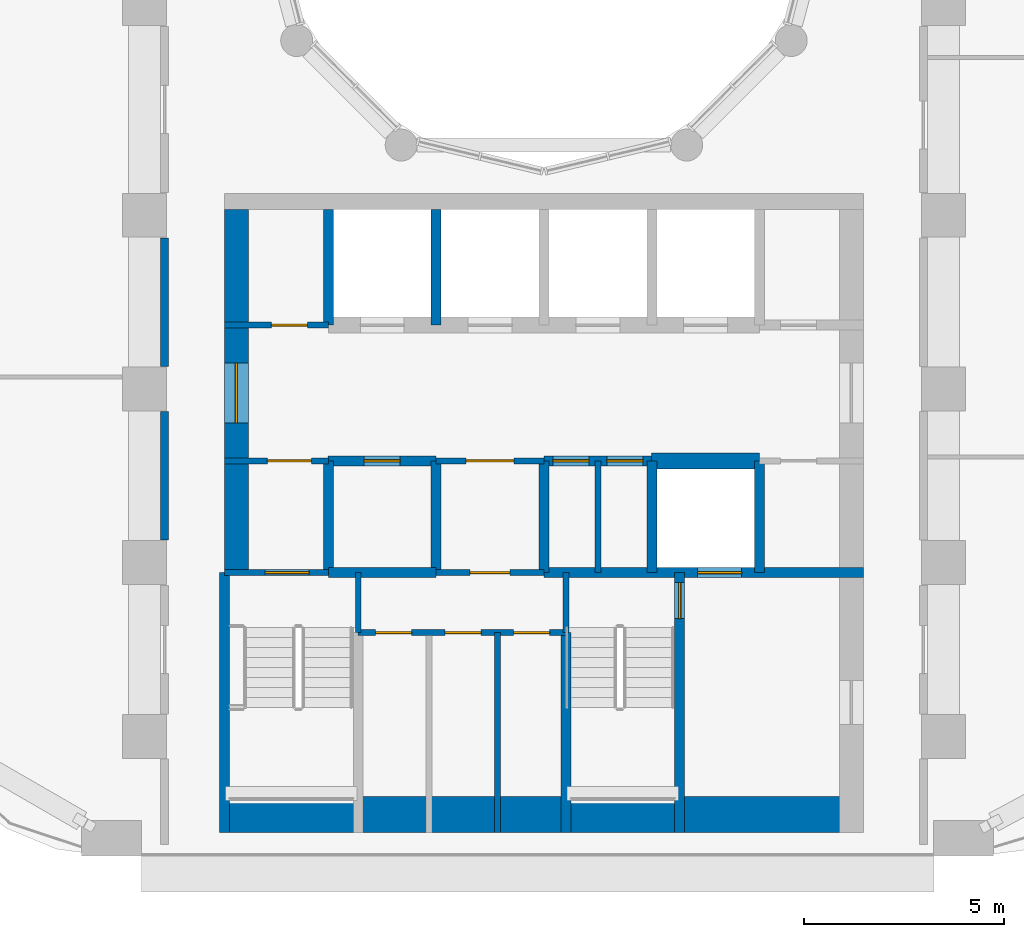
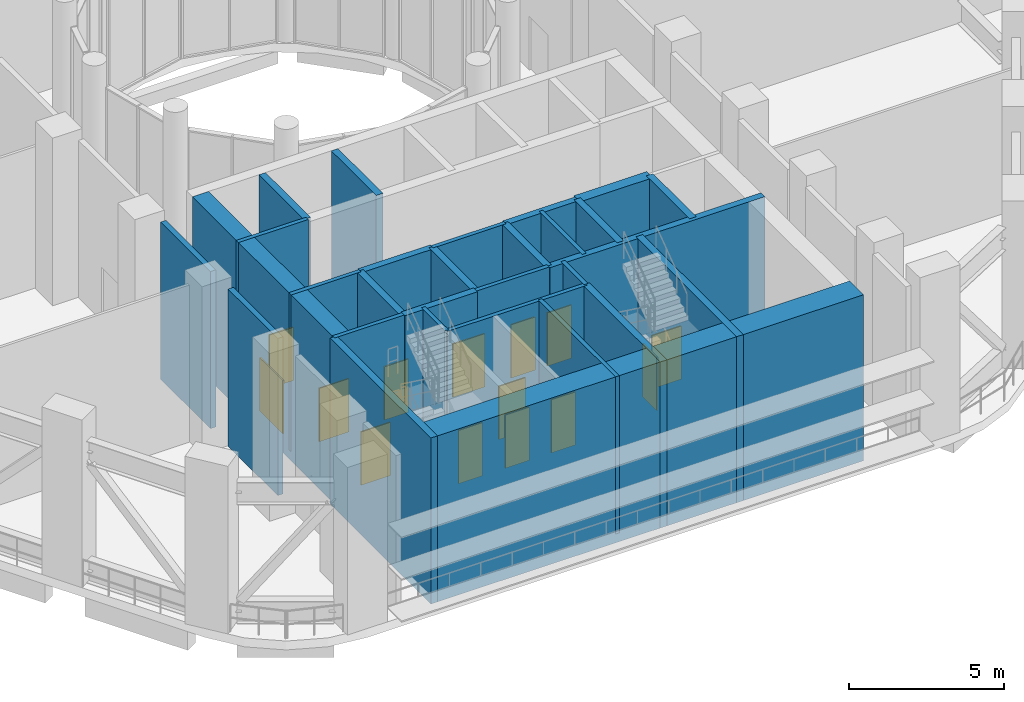
# One storey, part 8 of 20: 29 walls, 14 doors, 14 openings.
"""IFC4 building model written with IfcOpenShell, lengths in metres."""

from ifc_helpers import new_model, si_unit, direction, frame, frame_2d, origin, place, context, subcontext, project, spatial, rectangle, extrude, material, layer, layer_set, type_object, element, fill, save


model = new_model("IFC4")

# Units and contexts
model_context = context("Model", 3, precision=1e-05, world=origin(), true_north=direction((0.0, 1.0)))
body_context = subcontext(model_context, "Body", "Model", "MODEL_VIEW")
ifc_project = project(units=[si_unit("LENGTHUNIT", "METRE"), si_unit("AREAUNIT", "SQUARE_METRE"), si_unit("VOLUMEUNIT", "CUBIC_METRE"), si_unit("PLANEANGLEUNIT", "RADIAN"), si_unit("MASSUNIT", "GRAM", prefix="KILO")], contexts=[model_context])

# Site, building, storey
site_placement = place(None, origin())
site = spatial("IfcSite", under=ifc_project, at=site_placement, CompositionType="ELEMENT")
building_placement = place(site_placement, origin())
building = spatial("IfcBuilding", under=site, at=building_placement, Name="Nakaniwa Court", CompositionType="ELEMENT")
storey_placement = place(building_placement, frame((0.0, 0.0, 71.10009765625)))
storey = spatial("IfcBuildingStorey", under=building, at=storey_placement, Name="S1", CompositionType="ELEMENT", Elevation=71.10009765625)

# Walls
ifc_material_1 = material(Name="Acoustic double stud partition")
ifc_layer_1 = layer(ifc_material_1, 0.199951171875)
ifc_layer_set_1 = layer_set([ifc_layer_1], Name="Acoustic double stud partition")
wall_type_1 = type_object("IfcWallType", Name="Acoustic double stud partition 200", PredefinedType="PARTITIONING", material=ifc_layer_set_1)
wall_1_placement = place(storey_placement, frame((70.5, 63.9169921875, 0.0), z_axis=(0.0, 0.0, 1.0), x_axis=(0.0, 1.0, 0.0)))
element("IfcWall", 1, at=wall_1_placement, inside=storey, type_object=wall_type_1, Name="Partition PW-088", PredefinedType="PARTITIONING", context=body_context, shape_type="SweptSolid", body=[
    extrude(rectangle(XDim=3.216064453125, YDim=0.199951171875, at=frame_2d((1.60791015625, 0.0))), origin(), (0.0, 0.0, 1.0), 6.18994140625),
])
wall_2_placement = place(storey_placement, frame((70.5, 68.26708984375, 0.0), z_axis=(0.0, 0.0, 1.0), x_axis=(0.0, 1.0, 0.0)))
element("IfcWall", 2, at=wall_2_placement, inside=storey, type_object=wall_type_1, Name="Partition PW-089", PredefinedType="PARTITIONING", context=body_context, shape_type="SweptSolid", body=[
    extrude(rectangle(XDim=3.2158203125, YDim=0.199951171875, at=frame_2d((1.60791015625, 0.0))), origin(), (0.0, 0.0, 1.0), 6.18994140625),
])

# Wall, opening, door
ifc_material_2 = material(Name="Blockwork partition", Category="masonry")
ifc_layer_2 = layer(ifc_material_2, 0.14990234375)
ifc_layer_set_2 = layer_set([ifc_layer_2], Name="Blockwork partition")
wall_type_2 = type_object("IfcWallType", Name="Blockwork partition 150", PredefinedType="PARTITIONING", material=ifc_layer_set_2)
wall_3_placement = place(storey_placement, frame((72.0, 69.300048828125, 0.0), z_axis=(0.0, 0.0, 1.0), x_axis=(1.0, 0.0, 0.0)))
wall_3 = element("IfcWall", 3, at=wall_3_placement, inside=storey, type_object=wall_type_2, Name="Partition PW-038", PredefinedType="PARTITIONING", context=body_context, shape_type="SweptSolid", body=[
    extrude(rectangle(XDim=2.60009765625, YDim=0.14990234375, at=frame_2d((1.300048828125, 0.0))), origin(), (0.0, 0.0, 1.0), 6.18994140625),
])
opening_1_placement = place(wall_3_placement, frame((1.175048828125, 0.0, 0.0)))
opening_1 = element("IfcOpeningElement", 4, at=opening_1_placement, cuts=wall_3, Name="Opening D-05-10", PredefinedType="OPENING", context=body_context, shape_type="SweptSolid", body=[
    extrude(rectangle(XDim=0.89990234375, YDim=2.10009765625, at=frame_2d((0.449951171875, 1.050048828125))), frame((0.0, 0.0849609375, 0.0), z_axis=(0.0, -1.0, 0.0), x_axis=(1.0, 0.0, 0.0)), (0.0, 0.0, 1.0), 0.169921875),
])
ifc_material_3 = material(Name="Fire rated steel door set", Category="steel")
door_type_1 = type_object("IfcDoorType", Name="Service room door 900", OperationType="NOTDEFINED", PredefinedType="DOOR", material=ifc_material_3)
door_1_placement = place(opening_1_placement, origin())
door_1 = element("IfcDoor", 5, at=door_1_placement, inside=storey, type_object=door_type_1, Name="Door D-05-10 S1-015", OperationType="SINGLE_SWING_RIGHT", OverallHeight=2.10009765625, OverallWidth=0.89990234375, PredefinedType="DOOR", context=body_context, shape_type="SweptSolid", body=[
    extrude(rectangle(XDim=0.89990234375, YDim=2.10009765625, at=frame_2d((0.449951171875, 1.050048828125))), frame((0.0, 0.02490234375, 0.0), z_axis=(0.0, -1.0, 0.0), x_axis=(1.0, 0.0, 0.0)), (0.0, 0.0, 1.0), 0.050048828125),
])
fill(opening_1, door_1)

wall_4_placement = place(storey_placement, frame((74.60302734375, 65.89990234375, 0.0), z_axis=(0.0, 0.0, 1.0), x_axis=(-1.0, 0.0, 0.0)))
wall_4 = element("IfcWall", 6, at=wall_4_placement, inside=storey, type_object=wall_type_2, Name="Partition PW-051", PredefinedType="PARTITIONING", context=body_context, shape_type="SweptSolid", body=[
    extrude(rectangle(XDim=2.60302734375, YDim=0.14990234375, at=frame_2d((1.301513671875, 0.0))), origin(), (0.0, 0.0, 1.0), 6.18994140625),
])
opening_2_placement = place(wall_4_placement, frame((0.427978515625, 0.0, 0.0)))
opening_2 = element("IfcOpeningElement", 7, at=opening_2_placement, cuts=wall_4, Name="Opening D-08-02", PredefinedType="OPENING", context=body_context, shape_type="SweptSolid", body=[
    extrude(rectangle(XDim=1.10009765625, YDim=2.10009765625, at=frame_2d((0.550048828125, 1.050048828125))), frame((0.0, 0.0849609375, 0.0), z_axis=(0.0, -1.0, 0.0), x_axis=(1.0, 0.0, 0.0)), (0.0, 0.0, 1.0), 0.169921875),
])
door_type_2 = type_object("IfcDoorType", Name="Stair lobby door 1100", OperationType="NOTDEFINED", PredefinedType="DOOR", material=ifc_material_3)
door_2_placement = place(opening_2_placement, origin())
door_2 = element("IfcDoor", 8, at=door_2_placement, inside=storey, type_object=door_type_2, Name="Door D-08-02 S1-017", OperationType="SINGLE_SWING_RIGHT", OverallHeight=2.10009765625, OverallWidth=1.10009765625, PredefinedType="DOOR", context=body_context, shape_type="SweptSolid", body=[
    extrude(rectangle(XDim=1.10009765625, YDim=2.10009765625, at=frame_2d((0.550048828125, 1.050048828125))), frame((0.0, 0.02490234375, 0.0), z_axis=(0.0, -1.0, 0.0), x_axis=(1.0, 0.0, 0.0)), (0.0, 0.0, 1.0), 0.050048828125),
])
fill(opening_2, door_2)

wall_5_placement = place(storey_placement, frame((80.0029296875, 65.89990234375, 0.0), z_axis=(0.0, 0.0, 1.0), x_axis=(-1.0, 0.0, 0.0)))
wall_5 = element("IfcWall", 9, at=wall_5_placement, inside=storey, type_object=wall_type_2, Name="Partition PW-052", PredefinedType="PARTITIONING", context=body_context, shape_type="SweptSolid", body=[
    extrude(rectangle(XDim=2.705810546875, YDim=0.14990234375, at=frame_2d((1.35302734375, 0.0))), origin(), (0.0, 0.0, 1.0), 6.18994140625),
])
opening_3_placement = place(wall_5_placement, frame((0.7529296875, 0.0, 0.0)))
opening_3 = element("IfcOpeningElement", 10, at=opening_3_placement, cuts=wall_5, Name="Opening D-06-02", PredefinedType="OPENING", context=body_context, shape_type="SweptSolid", body=[
    extrude(rectangle(XDim=1.199951171875, YDim=2.10009765625, at=frame_2d((0.60009765625, 1.050048828125))), frame((0.0, 0.0849609375, 0.0), z_axis=(0.0, -1.0, 0.0), x_axis=(1.0, 0.0, 0.0)), (0.0, 0.0, 1.0), 0.169921875),
])
ifc_material_4 = material(Name="Fire rated steel double door set", Category="steel")
door_type_3 = type_object("IfcDoorType", Name="Service passage double door 1200", OperationType="NOTDEFINED", PredefinedType="DOOR", material=ifc_material_4)
door_3_placement = place(opening_3_placement, origin())
door_3 = element("IfcDoor", 11, at=door_3_placement, inside=storey, type_object=door_type_3, Name="Door D-06-02 S1-019", OperationType="DOUBLE_DOOR_SINGLE_SWING", OverallHeight=2.10009765625, OverallWidth=1.199951171875, PredefinedType="DOOR", context=body_context, shape_type="SweptSolid", body=[
    extrude(rectangle(XDim=1.199951171875, YDim=2.10009765625, at=frame_2d((0.60009765625, 1.050048828125))), frame((0.0, 0.02490234375, 0.0), z_axis=(0.0, -1.0, 0.0), x_axis=(1.0, 0.0, 0.0)), (0.0, 0.0, 1.0), 0.050048828125),
])
fill(opening_3, door_3)

wall_6_placement = place(storey_placement, frame((80.0, 63.10009765625, 0.0), z_axis=(0.0, 0.0, 1.0), x_axis=(-1.0, 0.0, 0.0)))
wall_6 = element("IfcWall", 12, at=wall_6_placement, inside=storey, type_object=wall_type_2, Name="Partition PW-060", PredefinedType="PARTITIONING", context=body_context, shape_type="SweptSolid", body=[
    extrude(rectangle(XDim=2.699951171875, YDim=0.14990234375, at=frame_2d((1.35009765625, 0.0))), origin(), (0.0, 0.0, 1.0), 6.18994140625),
])
opening_4_placement = place(wall_6_placement, frame((0.85009765625, 0.0, 0.0)))
opening_4 = element("IfcOpeningElement", 13, at=opening_4_placement, cuts=wall_6, Name="Opening D-23-02", PredefinedType="OPENING", context=body_context, shape_type="SweptSolid", body=[
    extrude(rectangle(XDim=1.0, YDim=2.10009765625, at=frame_2d((0.5, 1.050048828125))), frame((0.0, 0.0849609375, 0.0), z_axis=(0.0, -1.0, 0.0), x_axis=(1.0, 0.0, 0.0)), (0.0, 0.0, 1.0), 0.169921875),
])
door_type_4 = type_object("IfcDoorType", Name="Service room door 1000", OperationType="NOTDEFINED", PredefinedType="DOOR", material=ifc_material_3)
door_4_placement = place(opening_4_placement, origin())
door_4 = element("IfcDoor", 14, at=door_4_placement, inside=storey, type_object=door_type_4, Name="Door D-23-02 S1-023", OperationType="SINGLE_SWING_RIGHT", OverallHeight=2.10009765625, OverallWidth=1.0, PredefinedType="DOOR", context=body_context, shape_type="SweptSolid", body=[
    extrude(rectangle(XDim=1.0, YDim=2.10009765625, at=frame_2d((0.5, 1.050048828125))), frame((0.0, 0.02490234375, 0.0), z_axis=(0.0, -1.0, 0.0), x_axis=(1.0, 0.0, 0.0)), (0.0, 0.0, 1.0), 0.050048828125),
])
fill(opening_4, door_4)

# Wall
wall_7_placement = place(storey_placement, frame((81.35009765625, 63.10009765625, 0.0), z_axis=(0.0, 0.0, 1.0), x_axis=(0.0, 1.0, 0.0)))
element("IfcWall", 15, at=wall_7_placement, inside=storey, type_object=wall_type_2, Name="Partition PW-061", PredefinedType="PARTITIONING", context=body_context, shape_type="SweptSolid", body=[
    extrude(rectangle(XDim=2.7998046875, YDim=0.14990234375, at=frame_2d((1.39990234375, 0.0))), origin(), (0.0, 0.0, 1.0), 6.18994140625),
])

# Wall, openings, doors
wall_8_placement = place(storey_placement, frame((80.550048828125, 61.60009765625, 0.0), z_axis=(0.0, 0.0, 1.0), x_axis=(-1.0, 0.0, 0.0)))
wall_8 = element("IfcWall", 16, at=wall_8_placement, inside=storey, type_object=wall_type_2, Name="Partition PW-068", PredefinedType="PARTITIONING", context=body_context, shape_type="SweptSolid", body=[
    extrude(rectangle(XDim=5.199951171875, YDim=0.14990234375, at=frame_2d((2.60009765625, 0.0))), origin(), (0.0, 0.0, 1.0), 6.18994140625),
])
opening_5_placement = place(wall_8_placement, frame((3.865966796875, 0.0, 0.0)))
opening_5 = element("IfcOpeningElement", 17, at=opening_5_placement, cuts=wall_8, Name="Opening D-05-16", PredefinedType="OPENING", context=body_context, shape_type="SweptSolid", body=[
    extrude(rectangle(XDim=0.89990234375, YDim=2.10009765625, at=frame_2d((0.449951171875, 1.050048828125))), frame((0.0, 0.0849609375, 0.0), z_axis=(0.0, -1.0, 0.0), x_axis=(1.0, 0.0, 0.0)), (0.0, 0.0, 1.0), 0.169921875),
])
opening_6_placement = place(wall_8_placement, frame((2.1240234375, 0.0, 0.0)))
opening_6 = element("IfcOpeningElement", 18, at=opening_6_placement, cuts=wall_8, Name="Opening D-05-17", PredefinedType="OPENING", context=body_context, shape_type="SweptSolid", body=[
    extrude(rectangle(XDim=0.89990234375, YDim=2.10009765625, at=frame_2d((0.449951171875, 1.050048828125))), frame((0.0, 0.0849609375, 0.0), z_axis=(0.0, -1.0, 0.0), x_axis=(1.0, 0.0, 0.0)), (0.0, 0.0, 1.0), 0.169921875),
])
opening_7_placement = place(wall_8_placement, frame((0.407958984375, 0.0, 0.0)))
opening_7 = element("IfcOpeningElement", 19, at=opening_7_placement, cuts=wall_8, Name="Opening D-05-18", PredefinedType="OPENING", context=body_context, shape_type="SweptSolid", body=[
    extrude(rectangle(XDim=0.89990234375, YDim=2.10009765625, at=frame_2d((0.449951171875, 1.050048828125))), frame((0.0, 0.0849609375, 0.0), z_axis=(0.0, -1.0, 0.0), x_axis=(1.0, 0.0, 0.0)), (0.0, 0.0, 1.0), 0.169921875),
])
door_5_placement = place(opening_5_placement, origin())
door_5 = element("IfcDoor", 20, at=door_5_placement, inside=storey, type_object=door_type_1, Name="Door D-05-16 S1-024", OperationType="SINGLE_SWING_LEFT", OverallHeight=2.10009765625, OverallWidth=0.89990234375, PredefinedType="DOOR", context=body_context, shape_type="SweptSolid", body=[
    extrude(rectangle(XDim=0.89990234375, YDim=2.10009765625, at=frame_2d((0.449951171875, 1.050048828125))), frame((0.0, 0.02490234375, 0.0), z_axis=(0.0, -1.0, 0.0), x_axis=(1.0, 0.0, 0.0)), (0.0, 0.0, 1.0), 0.050048828125),
])
fill(opening_5, door_5)
door_6_placement = place(opening_6_placement, origin())
door_6 = element("IfcDoor", 21, at=door_6_placement, inside=storey, type_object=door_type_1, Name="Door D-05-17 S1-025", OperationType="SINGLE_SWING_RIGHT", OverallHeight=2.10009765625, OverallWidth=0.89990234375, PredefinedType="DOOR", context=body_context, shape_type="SweptSolid", body=[
    extrude(rectangle(XDim=0.89990234375, YDim=2.10009765625, at=frame_2d((0.449951171875, 1.050048828125))), frame((0.0, 0.02490234375, 0.0), z_axis=(0.0, -1.0, 0.0), x_axis=(1.0, 0.0, 0.0)), (0.0, 0.0, 1.0), 0.050048828125),
])
fill(opening_6, door_6)
door_7_placement = place(opening_7_placement, origin())
door_7 = element("IfcDoor", 22, at=door_7_placement, inside=storey, type_object=door_type_1, Name="Door D-05-18 S1-026", OperationType="SINGLE_SWING_LEFT", OverallHeight=2.10009765625, OverallWidth=0.89990234375, PredefinedType="DOOR", context=body_context, shape_type="SweptSolid", body=[
    extrude(rectangle(XDim=0.89990234375, YDim=2.10009765625, at=frame_2d((0.449951171875, 1.050048828125))), frame((0.0, 0.02490234375, 0.0), z_axis=(0.0, -1.0, 0.0), x_axis=(1.0, 0.0, 0.0)), (0.0, 0.0, 1.0), 0.050048828125),
])
fill(opening_7, door_7)

# Wall
wall_9_placement = place(storey_placement, frame((78.833984375, 56.60009765625, 0.0), z_axis=(0.0, 0.0, 1.0), x_axis=(0.0, 1.0, 0.0)))
element("IfcWall", 23, at=wall_9_placement, inside=storey, type_object=wall_type_2, Name="Partition PW-070", PredefinedType="PARTITIONING", context=body_context, shape_type="SweptSolid", body=[
    extrude(rectangle(XDim=5.0, YDim=0.14990234375, at=frame_2d((2.5, 0.0))), origin(), (0.0, 0.0, 1.0), 6.18994140625),
])

# Wall, opening, door
ifc_material_5 = material(Name="Concrete C100/115", Category="concrete")
ifc_layer_3 = layer(ifc_material_5, 0.60009765625)
ifc_layer_set_3 = layer_set([ifc_layer_3], Name="Concrete C100/115")
wall_type_3 = type_object("IfcWallType", Name="Concrete core side wall 600 C100", PredefinedType="SHEAR", material=ifc_layer_set_3)
wall_10_placement = place(storey_placement, frame((72.300048828125, 63.10009765625, -0.35009765625), z_axis=(0.0, 0.0, 1.0), x_axis=(0.0, 1.0, 0.0)))
wall_10 = element("IfcWall", 24, at=wall_10_placement, inside=storey, type_object=wall_type_3, Name="Core wall SW-39", PredefinedType="SHEAR", context=body_context, shape_type="SweptSolid", body=[
    extrude(rectangle(XDim=9.099853515625, YDim=0.60009765625, at=frame_2d((4.5498046875, 0.0))), origin(), (0.0, 0.0, 1.0), 6.5400390625),
])
opening_8_placement = place(wall_10_placement, frame((3.75, 0.0, 0.35009765625)))
opening_8 = element("IfcOpeningElement", 25, at=opening_8_placement, cuts=wall_10, Name="Opening D-07-04", PredefinedType="OPENING", context=body_context, shape_type="SweptSolid", body=[
    extrude(rectangle(XDim=1.5, YDim=2.10009765625, at=frame_2d((0.75, 1.050048828125))), frame((0.0, 0.31005859375, 0.0), z_axis=(0.0, -1.0, 0.0), x_axis=(1.0, 0.0, 0.0)), (0.0, 0.0, 1.0), 0.6201171875),
])
ifc_material_6 = material(Name="Glazed fire rated steel double door set", Category="steel")
door_type_5 = type_object("IfcDoorType", Name="Lobby double door 1500", OperationType="NOTDEFINED", PredefinedType="DOOR", material=ifc_material_6)
door_8_placement = place(opening_8_placement, origin())
door_8 = element("IfcDoor", 26, at=door_8_placement, inside=storey, type_object=door_type_5, Name="Door D-07-04 S1-043", OperationType="DOUBLE_DOOR_SINGLE_SWING", OverallHeight=2.10009765625, OverallWidth=1.5, PredefinedType="DOOR", context=body_context, shape_type="SweptSolid", body=[
    extrude(rectangle(XDim=1.5, YDim=2.10009765625, at=frame_2d((0.75, 1.050048828125))), frame((0.0, 0.02490234375, 0.0), z_axis=(0.0, -1.0, 0.0), x_axis=(1.0, 0.0, 0.0)), (0.0, 0.0, 1.0), 0.050048828125),
])
fill(opening_8, door_8)

# Wall
ifc_layer_4 = layer(ifc_material_5, 0.39990234375)
ifc_layer_set_4 = layer_set([ifc_layer_4], Name="Concrete C100/115")
wall_type_4 = type_object("IfcWallType", Name="Concrete core spine wall 400 C100", PredefinedType="SHEAR", material=ifc_layer_set_4)
wall_11_placement = place(storey_placement, frame((82.697021484375, 65.89990234375, -0.35009765625), z_axis=(0.0, 0.0, 1.0), x_axis=(1.0, 0.0, 0.0)))
element("IfcWall", 27, at=wall_11_placement, inside=storey, type_object=wall_type_4, Name="Core wall SW-56", PredefinedType="SHEAR", context=body_context, shape_type="SweptSolid", body=[
    extrude(rectangle(XDim=2.7060546875, YDim=0.39990234375, at=frame_2d((1.35302734375, 0.0))), origin(), (0.0, 0.0, 1.0), 6.5400390625),
])

# Wall, opening, door
ifc_layer_5 = layer(ifc_material_5, 0.14990234375)
ifc_layer_set_5 = layer_set([ifc_layer_5], Name="Concrete C100/115")
wall_type_5 = type_object("IfcWallType", Name="Concrete core wall 150 C100", PredefinedType="SHEAR", material=ifc_layer_set_5)
wall_12_placement = place(storey_placement, frame((72.0, 63.10009765625, -0.35009765625), z_axis=(0.0, 0.0, 1.0), x_axis=(1.0, 0.0, 0.0)))
wall_12 = element("IfcWall", 28, at=wall_12_placement, inside=storey, type_object=wall_type_5, Name="Core wall SW-57", PredefinedType="SHEAR", context=body_context, shape_type="SweptSolid", body=[
    extrude(rectangle(XDim=2.60009765625, YDim=0.14990234375, at=frame_2d((1.300048828125, 0.0))), origin(), (0.0, 0.0, 1.0), 6.5400390625),
])
opening_9_placement = place(wall_12_placement, frame((1.02001953125, 0.0, 0.35009765625)))
opening_9 = element("IfcOpeningElement", 29, at=opening_9_placement, cuts=wall_12, Name="Opening D-09-02", PredefinedType="OPENING", context=body_context, shape_type="SweptSolid", body=[
    extrude(rectangle(XDim=1.10009765625, YDim=2.10009765625, at=frame_2d((0.550048828125, 1.050048828125))), frame((0.0, 0.0849609375, 0.0), z_axis=(0.0, -1.0, 0.0), x_axis=(1.0, 0.0, 0.0)), (0.0, 0.0, 1.0), 0.169921875),
])
door_type_6 = type_object("IfcDoorType", Name="Stair door 1100", OperationType="NOTDEFINED", PredefinedType="DOOR", material=ifc_material_3)
door_9_placement = place(opening_9_placement, origin())
door_9 = element("IfcDoor", 30, at=door_9_placement, inside=storey, type_object=door_type_6, Name="Door D-09-02 S1-027", OperationType="SINGLE_SWING_LEFT", OverallHeight=2.10009765625, OverallWidth=1.10009765625, PredefinedType="DOOR", context=body_context, shape_type="SweptSolid", body=[
    extrude(rectangle(XDim=1.10009765625, YDim=2.10009765625, at=frame_2d((0.550048828125, 1.050048828125))), frame((0.0, 0.02490234375, 0.0), z_axis=(0.0, -1.0, 0.0), x_axis=(1.0, 0.0, 0.0)), (0.0, 0.0, 1.0), 0.050048828125),
])
fill(opening_9, door_9)

# Walls
for number, where, z_axis, x_axis, name in (
    (31, (75.35009765625, 61.596923828125, -0.35009765625), (0.0, 0.0, 1.0), (0.0, 1.0, 0.0), "Core wall SW-62"),
    (32, (80.550048828125, 61.596923828125, -0.35009765625), (0.0, 0.0, 1.0), (0.0, 1.0, 0.0), "Core wall SW-66"),
):
    element("IfcWall", number, at=place(storey_placement, frame(where, z_axis=z_axis, x_axis=x_axis)), inside=storey, type_object=wall_type_5, Name=name, PredefinedType="SHEAR", context=body_context, shape_type="SweptSolid", body=[
        extrude(rectangle(XDim=1.503173828125, YDim=0.14990234375, at=frame_2d((0.75146484375, 0.0))), origin(), (0.0, 0.0, 1.0), 6.5400390625),
    ])
ifc_layer_6 = layer(ifc_material_5, 0.25)
ifc_layer_set_6 = layer_set([ifc_layer_6], Name="Concrete C100/115")
wall_type_6 = type_object("IfcWallType", Name="Concrete core wall 250 C100", PredefinedType="SHEAR", material=ifc_layer_set_6)
wall_13_placement = place(storey_placement, frame((72.0, 56.60009765625, -0.35009765625), z_axis=(0.0, 0.0, 1.0), x_axis=(0.0, 1.0, 0.0)))
element("IfcWall", 33, at=wall_13_placement, inside=storey, type_object=wall_type_6, Name="Core wall SW-64", PredefinedType="SHEAR", context=body_context, shape_type="SweptSolid", body=[
    extrude(rectangle(XDim=6.5, YDim=0.25, at=frame_2d((3.25, 0.0))), origin(), (0.0, 0.0, 1.0), 6.5400390625),
])
ifc_layer_7 = layer(ifc_material_5, 0.89990234375)
ifc_layer_set_7 = layer_set([ifc_layer_7], Name="Concrete C100/115")
wall_type_7 = type_object("IfcWallType", Name="Concrete core wall 900 C100", PredefinedType="SHEAR", material=ifc_layer_set_7)
wall_14_placement = place(storey_placement, frame((72.00390625, 57.050048828125, -0.35009765625), z_axis=(0.0, 0.0, 1.0), x_axis=(1.0, 0.0, 0.0)))
element("IfcWall", 34, at=wall_14_placement, inside=storey, type_object=wall_type_7, Name="Core wall SW-104", PredefinedType="SHEAR", context=body_context, shape_type="SweptSolid", body=[
    extrude(rectangle(XDim=15.9921875, YDim=0.89990234375, at=frame_2d((7.99609375, 0.0))), origin(), (0.0, 0.0, 1.0), 6.5400390625),
])
ifc_layer_8 = layer(ifc_material_5, 0.25)
ifc_layer_set_8 = layer_set([ifc_layer_8], Name="Concrete C100/115")
wall_type_8 = type_object("IfcWallType", Name="Concrete shaft wall 250 C100", PredefinedType="SHEAR", material=ifc_layer_set_8)
wall_15_placement = place(storey_placement, frame((74.60009765625, 63.10009765625, -0.35009765625), z_axis=(0.0, 0.0, 1.0), x_axis=(0.0, 1.0, 0.0)))
element("IfcWall", 35, at=wall_15_placement, inside=storey, type_object=wall_type_8, Name="Core wall SW-36", PredefinedType="SHEAR", context=body_context, shape_type="SweptSolid", body=[
    extrude(rectangle(XDim=2.7998046875, YDim=0.25, at=frame_2d((1.39990234375, 0.0))), origin(), (0.0, 0.0, 1.0), 6.5400390625),
])
wall_16_placement = place(storey_placement, frame((74.60009765625, 69.300048828125, -0.35009765625), z_axis=(0.0, 0.0, 1.0), x_axis=(0.0, 1.0, 0.0)))
element("IfcWall", 36, at=wall_16_placement, inside=storey, type_object=wall_type_8, Name="Core wall SW-37", PredefinedType="SHEAR", context=body_context, shape_type="SweptSolid", body=[
    extrude(rectangle(XDim=2.89990234375, YDim=0.25, at=frame_2d((1.449951171875, 0.0))), origin(), (0.0, 0.0, 1.0), 6.5400390625),
])
wall_17_placement = place(storey_placement, frame((77.300048828125, 63.10009765625, -0.35009765625), z_axis=(0.0, 0.0, 1.0), x_axis=(0.0, 1.0, 0.0)))
element("IfcWall", 37, at=wall_17_placement, inside=storey, type_object=wall_type_8, Name="Core wall SW-40", PredefinedType="SHEAR", context=body_context, shape_type="SweptSolid", body=[
    extrude(rectangle(XDim=2.7998046875, YDim=0.25, at=frame_2d((1.39990234375, 0.0))), origin(), (0.0, 0.0, 1.0), 6.5400390625),
])
wall_18_placement = place(storey_placement, frame((77.300048828125, 69.300048828125, -0.35009765625), z_axis=(0.0, 0.0, 1.0), x_axis=(0.0, 1.0, 0.0)))
element("IfcWall", 38, at=wall_18_placement, inside=storey, type_object=wall_type_8, Name="Core wall SW-41", PredefinedType="SHEAR", context=body_context, shape_type="SweptSolid", body=[
    extrude(rectangle(XDim=2.89990234375, YDim=0.25, at=frame_2d((1.449951171875, 0.0))), origin(), (0.0, 0.0, 1.0), 6.5400390625),
])
for number, where, z_axis, x_axis, name in (
    (39, (80.0, 63.10009765625, -0.35009765625), (0.0, 0.0, 1.0), (0.0, 1.0, 0.0), "Core wall SW-43"),
    (40, (82.699951171875, 63.10009765625, -0.35009765625), (0.0, 0.0, 1.0), (0.0, 1.0, 0.0), "Core wall SW-45"),
    (41, (85.39990234375, 63.10009765625, -0.35009765625), (0.0, 0.0, 1.0), (0.0, 1.0, 0.0), "Core wall SW-47"),
):
    element("IfcWall", number, at=place(storey_placement, frame(where, z_axis=z_axis, x_axis=x_axis)), inside=storey, type_object=wall_type_8, Name=name, PredefinedType="SHEAR", context=body_context, shape_type="SweptSolid", body=[
        extrude(rectangle(XDim=2.7998046875, YDim=0.25, at=frame_2d((1.39990234375, 0.0))), origin(), (0.0, 0.0, 1.0), 6.5400390625),
    ])

# Wall, opening, door
wall_19_placement = place(storey_placement, frame((77.302978515625, 65.89990234375, -0.35009765625), z_axis=(0.0, 0.0, 1.0), x_axis=(-1.0, 0.0, 0.0)))
wall_19 = element("IfcWall", 42, at=wall_19_placement, inside=storey, type_object=wall_type_8, Name="Core wall SW-54", PredefinedType="SHEAR", context=body_context, shape_type="SweptSolid", body=[
    extrude(rectangle(XDim=2.7060546875, YDim=0.25, at=frame_2d((1.35302734375, 0.0))), origin(), (0.0, 0.0, 1.0), 6.5400390625),
])
opening_10_placement = place(wall_19_placement, frame((0.903076171875, 0.0, 0.35009765625)))
opening_10 = element("IfcOpeningElement", 43, at=opening_10_placement, cuts=wall_19, Name="Opening D-05-12", PredefinedType="OPENING", context=body_context, shape_type="SweptSolid", body=[
    extrude(rectangle(XDim=0.89990234375, YDim=2.10009765625, at=frame_2d((0.449951171875, 1.050048828125))), frame((0.0, 0.135009765625, 0.0), z_axis=(0.0, -1.0, 0.0), x_axis=(1.0, 0.0, 0.0)), (0.0, 0.0, 1.0), 0.27001953125),
])
door_10_placement = place(opening_10_placement, origin())
door_10 = element("IfcDoor", 44, at=door_10_placement, inside=storey, type_object=door_type_1, Name="Door D-05-12 S1-018", OperationType="SINGLE_SWING_LEFT", OverallHeight=2.10009765625, OverallWidth=0.89990234375, PredefinedType="DOOR", context=body_context, shape_type="SweptSolid", body=[
    extrude(rectangle(XDim=0.89990234375, YDim=2.10009765625, at=frame_2d((0.449951171875, 1.050048828125))), frame((0.0, 0.02490234375, 0.0), z_axis=(0.0, -1.0, 0.0), x_axis=(1.0, 0.0, 0.0)), (0.0, 0.0, 1.0), 0.050048828125),
])
fill(opening_10, door_10)

# Wall, openings, doors
wall_20_placement = place(storey_placement, frame((82.702880859375, 65.89990234375, -0.35009765625), z_axis=(0.0, 0.0, 1.0), x_axis=(-1.0, 0.0, 0.0)))
wall_20 = element("IfcWall", 45, at=wall_20_placement, inside=storey, type_object=wall_type_8, Name="Core wall SW-55", PredefinedType="SHEAR", context=body_context, shape_type="SweptSolid", body=[
    extrude(rectangle(XDim=2.705810546875, YDim=0.25, at=frame_2d((1.35302734375, 0.0))), origin(), (0.0, 0.0, 1.0), 6.5400390625),
])
opening_11_placement = place(wall_20_placement, frame((1.577880859375, 0.0, 0.35009765625)))
opening_11 = element("IfcOpeningElement", 46, at=opening_11_placement, cuts=wall_20, Name="Opening D-05-13", PredefinedType="OPENING", context=body_context, shape_type="SweptSolid", body=[
    extrude(rectangle(XDim=0.89990234375, YDim=2.10009765625, at=frame_2d((0.449951171875, 1.050048828125))), frame((0.0, 0.135009765625, 0.0), z_axis=(0.0, -1.0, 0.0), x_axis=(1.0, 0.0, 0.0)), (0.0, 0.0, 1.0), 0.27001953125),
])
opening_12_placement = place(wall_20_placement, frame((0.22802734375, 0.0, 0.35009765625)))
opening_12 = element("IfcOpeningElement", 47, at=opening_12_placement, cuts=wall_20, Name="Opening D-05-14", PredefinedType="OPENING", context=body_context, shape_type="SweptSolid", body=[
    extrude(rectangle(XDim=0.89990234375, YDim=2.10009765625, at=frame_2d((0.449951171875, 1.050048828125))), frame((0.0, 0.135009765625, 0.0), z_axis=(0.0, -1.0, 0.0), x_axis=(1.0, 0.0, 0.0)), (0.0, 0.0, 1.0), 0.27001953125),
])
door_11_placement = place(opening_11_placement, origin())
door_11 = element("IfcDoor", 48, at=door_11_placement, inside=storey, type_object=door_type_1, Name="Door D-05-13 S1-020", OperationType="SINGLE_SWING_LEFT", OverallHeight=2.10009765625, OverallWidth=0.89990234375, PredefinedType="DOOR", context=body_context, shape_type="SweptSolid", body=[
    extrude(rectangle(XDim=0.89990234375, YDim=2.10009765625, at=frame_2d((0.449951171875, 1.050048828125))), frame((0.0, 0.02490234375, 0.0), z_axis=(0.0, -1.0, 0.0), x_axis=(1.0, 0.0, 0.0)), (0.0, 0.0, 1.0), 0.050048828125),
])
fill(opening_11, door_11)
door_12_placement = place(opening_12_placement, origin())
door_12 = element("IfcDoor", 49, at=door_12_placement, inside=storey, type_object=door_type_1, Name="Door D-05-14 S1-021", OperationType="SINGLE_SWING_RIGHT", OverallHeight=2.10009765625, OverallWidth=0.89990234375, PredefinedType="DOOR", context=body_context, shape_type="SweptSolid", body=[
    extrude(rectangle(XDim=0.89990234375, YDim=2.10009765625, at=frame_2d((0.449951171875, 1.050048828125))), frame((0.0, 0.02490234375, 0.0), z_axis=(0.0, -1.0, 0.0), x_axis=(1.0, 0.0, 0.0)), (0.0, 0.0, 1.0), 0.050048828125),
])
fill(opening_12, door_12)

# Wall
wall_21_placement = place(storey_placement, frame((74.60009765625, 63.10009765625, -0.35009765625), z_axis=(0.0, 0.0, 1.0), x_axis=(1.0, 0.0, 0.0)))
element("IfcWall", 50, at=wall_21_placement, inside=storey, type_object=wall_type_8, Name="Core wall SW-58", PredefinedType="SHEAR", context=body_context, shape_type="SweptSolid", body=[
    extrude(rectangle(XDim=2.699951171875, YDim=0.25, at=frame_2d((1.35009765625, 0.0))), origin(), (0.0, 0.0, 1.0), 6.5400390625),
])

# Wall, opening, door
wall_22_placement = place(storey_placement, frame((80.0, 63.10009765625, -0.35009765625), z_axis=(0.0, 0.0, 1.0), x_axis=(1.0, 0.0, 0.0)))
wall_22 = element("IfcWall", 51, at=wall_22_placement, inside=storey, type_object=wall_type_8, Name="Core wall SW-59", PredefinedType="SHEAR", context=body_context, shape_type="SweptSolid", body=[
    extrude(rectangle(XDim=8.0, YDim=0.25, at=frame_2d((4.0, 0.0))), origin(), (0.0, 0.0, 1.0), 6.5400390625),
])
opening_13_placement = place(wall_22_placement, frame((3.84912109375, 0.0, 0.35009765625)))
opening_13 = element("IfcOpeningElement", 52, at=opening_13_placement, cuts=wall_22, Name="Opening LD10", PredefinedType="OPENING", context=body_context, shape_type="SweptSolid", body=[
    extrude(rectangle(XDim=1.10009765625, YDim=2.10009765625, at=frame_2d((0.550048828125, 1.050048828125))), frame((0.0, 0.135009765625, 0.0), z_axis=(0.0, -1.0, 0.0), x_axis=(1.0, 0.0, 0.0)), (0.0, 0.0, 1.0), 0.27001953125),
])
ifc_material_7 = material(Name="Stainless steel sliding lift landing door", Category="steel")
door_type_7 = type_object("IfcDoorType", Name="Lift landing door 1100", OperationType="NOTDEFINED", PredefinedType="DOOR", material=ifc_material_7)
door_13_placement = place(opening_13_placement, origin())
door_13 = element("IfcDoor", 53, at=door_13_placement, inside=storey, type_object=door_type_7, Name="Lift landing door LD10 S1-010", OperationType="SLIDING_TO_LEFT", OverallHeight=2.10009765625, OverallWidth=1.10009765625, PredefinedType="DOOR", context=body_context, shape_type="SweptSolid", body=[
    extrude(rectangle(XDim=1.10009765625, YDim=2.10009765625, at=frame_2d((0.550048828125, 1.050048828125))), frame((0.0, 0.02490234375, 0.0), z_axis=(0.0, -1.0, 0.0), x_axis=(1.0, 0.0, 0.0)), (0.0, 0.0, 1.0), 0.050048828125),
])
fill(opening_13, door_13)

wall_23_placement = place(storey_placement, frame((83.39990234375, 63.10009765625, -0.35009765625), z_axis=(0.0, 0.0, 1.0), x_axis=(0.0, -1.0, 0.0)))
wall_23 = element("IfcWall", 54, at=wall_23_placement, inside=storey, type_object=wall_type_8, Name="Core wall SW-65", PredefinedType="SHEAR", context=body_context, shape_type="SweptSolid", body=[
    extrude(rectangle(XDim=6.5, YDim=0.25, at=frame_2d((3.25, 0.0))), origin(), (0.0, 0.0, 1.0), 6.5400390625),
])
opening_14_placement = place(wall_23_placement, frame((0.25, 0.0, 0.35009765625)))
opening_14 = element("IfcOpeningElement", 55, at=opening_14_placement, cuts=wall_23, Name="Opening D-11-02", PredefinedType="OPENING", context=body_context, shape_type="SweptSolid", body=[
    extrude(rectangle(XDim=0.89990234375, YDim=2.10009765625, at=frame_2d((0.449951171875, 1.050048828125))), frame((0.0, 0.135009765625, 0.0), z_axis=(0.0, -1.0, 0.0), x_axis=(1.0, 0.0, 0.0)), (0.0, 0.0, 1.0), 0.27001953125),
])
door_type_8 = type_object("IfcDoorType", Name="Stair door 900", OperationType="NOTDEFINED", PredefinedType="DOOR", material=ifc_material_3)
door_14_placement = place(opening_14_placement, origin())
door_14 = element("IfcDoor", 56, at=door_14_placement, inside=storey, type_object=door_type_8, Name="Door D-11-02 S1-028", OperationType="SINGLE_SWING_RIGHT", OverallHeight=2.10009765625, OverallWidth=0.89990234375, PredefinedType="DOOR", context=body_context, shape_type="SweptSolid", body=[
    extrude(rectangle(XDim=0.89990234375, YDim=2.10009765625, at=frame_2d((0.449951171875, 1.050048828125))), frame((0.0, 0.02490234375, 0.0), z_axis=(0.0, -1.0, 0.0), x_axis=(1.0, 0.0, 0.0)), (0.0, 0.0, 1.0), 0.050048828125),
])
fill(opening_14, door_14)

# Wall
wall_24_placement = place(storey_placement, frame((80.550048828125, 56.60009765625, -0.35009765625), z_axis=(0.0, 0.0, 1.0), x_axis=(0.0, 1.0, 0.0)))
element("IfcWall", 57, at=wall_24_placement, inside=storey, type_object=wall_type_8, Name="Core wall SW-67", PredefinedType="SHEAR", context=body_context, shape_type="SweptSolid", body=[
    extrude(rectangle(XDim=5.0029296875, YDim=0.25, at=frame_2d((2.50146484375, 0.0))), origin(), (0.0, 0.0, 1.0), 6.5400390625),
])

save(model, "model.ifc")
